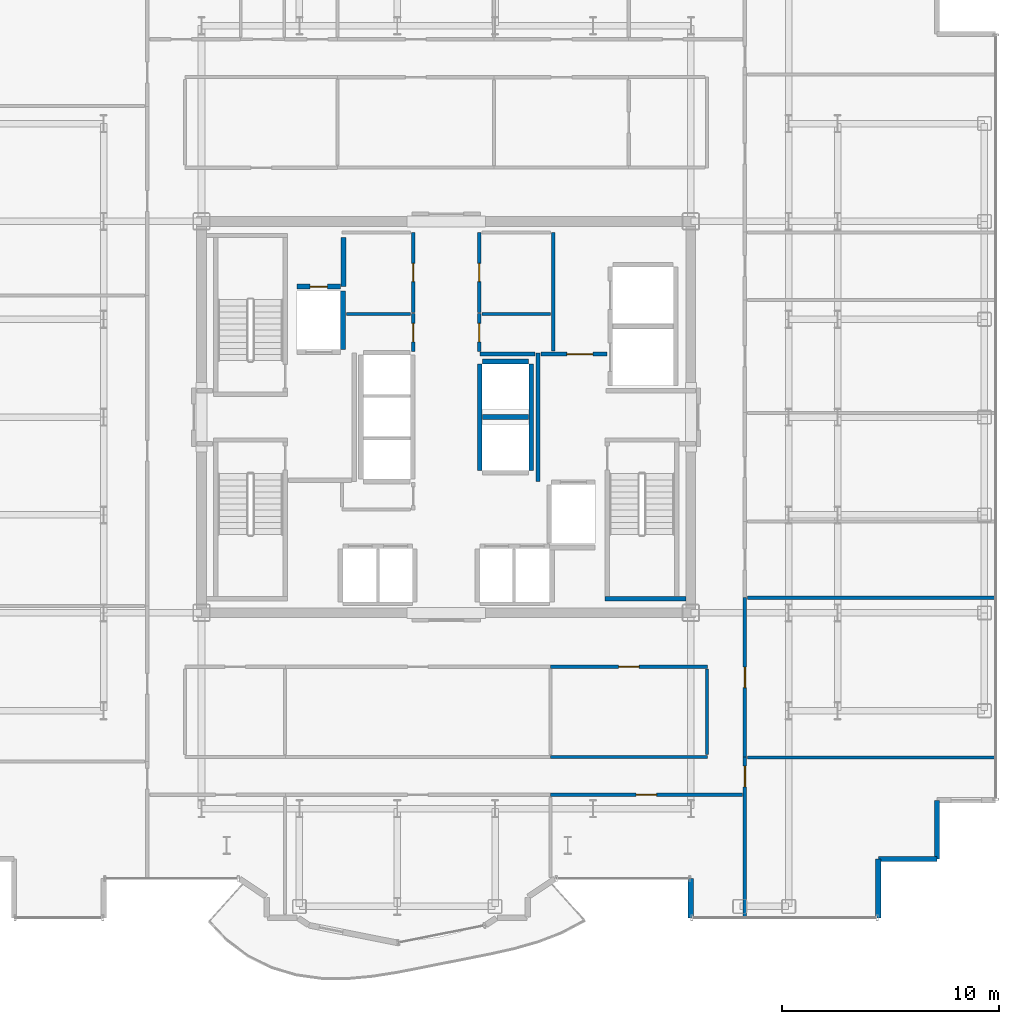
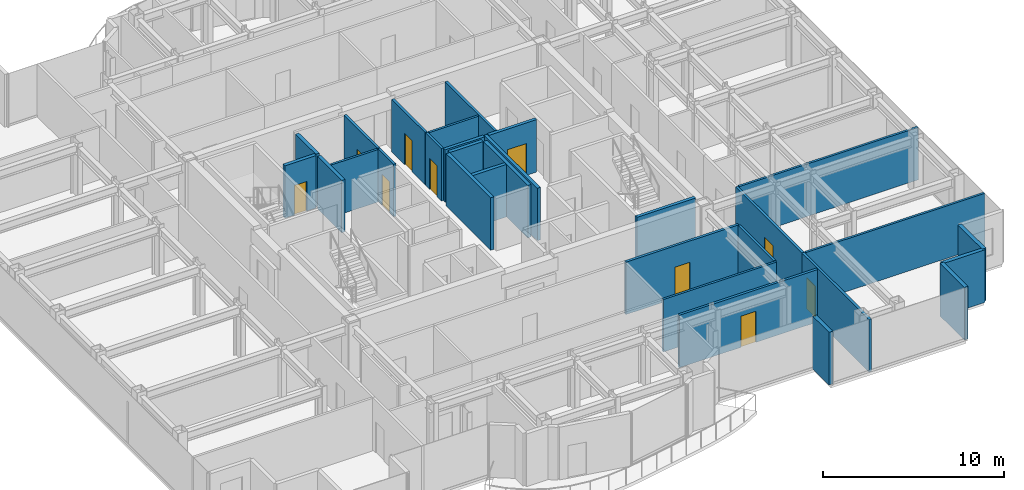
# One storey, part 16 of 21: 30 walls, 10 doors, 10 openings.
"""IFC4 building model written with IfcOpenShell, lengths in metres."""

import ifcopenshell
import ifcopenshell.guid

model = None  # the IFC model being written
_history = None  # IfcOwnerHistory: only IFC2X3 demands one
_inside = {}  # id of a spatial element -> (the spatial element, [elements in it])
_under = {}  # id of a project, library or spatial element -> (it, [spatial elements below it])
_declared = {}  # id of a project -> (the project, [libraries it declares])
_typed = {}  # id of a type object -> (the type object, [elements of that type])
_made_of = {}  # id of a material, layer set ... -> (it, [elements and type objects made of it])


def new_model(schema):
    """Start an empty IFC model of exactly this schema.

    Asked for "IFC4X3", IfcOpenShell would pick the latest addendum, in which some entities
    have other attributes; the version numbers below select the first issue.
    IFC2X3 requires an IfcOwnerHistory on every rooted entity: one is made here for all.
    """
    global model, _history
    if schema == "IFC4X3":
        model = ifcopenshell.file(schema_version=(4, 3, 0, 0))
    else:
        model = ifcopenshell.file(schema=schema)
    _inside.clear()
    _under.clear()
    _declared.clear()
    _typed.clear()
    _made_of.clear()
    _history = None
    if model.schema == "IFC2X3":
        org = make("IfcOrganization", Name="unknown")
        user = make(
            "IfcPersonAndOrganization",
            ThePerson=make("IfcPerson", FamilyName="unknown"),
            TheOrganization=org,
        )
        app = make(
            "IfcApplication",
            ApplicationDeveloper=org,
            Version="unknown",
            ApplicationFullName="unknown",
            ApplicationIdentifier="unknown",
        )
        _history = make(
            "IfcOwnerHistory",
            OwningUser=user,
            OwningApplication=app,
            ChangeAction="ADDED",
            CreationDate=0,
        )
    return model


def make(cls, **values):
    """One entity of the class cls with the attributes given. An attribute that is None is left unset."""
    return model.create_entity(
        cls, **{name: value for name, value in values.items() if value is not None}
    )


def rooted(cls, **values):
    """An entity with a GlobalId (a new one), such as an element, a storey or a relation."""
    return make(cls, GlobalId=ifcopenshell.guid.new(), OwnerHistory=_history, **values)


def si_unit(unit_type, name, prefix=None):
    """IfcSIUnit, for example si_unit("LENGTHUNIT", "METRE", prefix="MILLI")."""
    return make("IfcSIUnit", UnitType=unit_type, Prefix=prefix, Name=name)


def assignment(units):
    """IfcUnitAssignment: the units of a project."""
    return None if units is None else make("IfcUnitAssignment", Units=units)


def point(xyz):
    """IfcCartesianPoint."""
    return None if xyz is None else make("IfcCartesianPoint", Coordinates=xyz)


def direction(xyz):
    """IfcDirection."""
    return None if xyz is None else make("IfcDirection", DirectionRatios=xyz)


def frame(location, z_axis=None, x_axis=None):
    """IfcAxis2Placement3D, a coordinate frame: its origin and axes. An axis left out is left unset."""
    return make(
        "IfcAxis2Placement3D",
        Location=point(location),
        Axis=direction(z_axis),
        RefDirection=direction(x_axis),
    )


def frame_2d(location, x_axis=None):
    """IfcAxis2Placement2D, a coordinate frame in the plane: its origin and x axis."""
    return make(
        "IfcAxis2Placement2D", Location=point(location), RefDirection=direction(x_axis)
    )


def origin():
    """The frame at (0, 0, 0) with its axes left unset."""
    return frame((0.0, 0.0, 0.0))


def place(relative_to, where):
    """IfcLocalPlacement: puts the frame where relative to a parent placement (None: the world)."""
    return make(
        "IfcLocalPlacement", PlacementRelTo=relative_to, RelativePlacement=where
    )


def context(
    kind, dimensions, precision=None, world=None, true_north=None, identifier=None
):
    """IfcGeometricRepresentationContext, for example the 3D "Model" context."""
    return make(
        "IfcGeometricRepresentationContext",
        ContextIdentifier=identifier,
        ContextType=kind,
        CoordinateSpaceDimension=dimensions,
        Precision=precision,
        WorldCoordinateSystem=world,
        TrueNorth=true_north,
    )


def subcontext(parent, identifier, kind, view, scale=None):
    """IfcGeometricRepresentationSubContext, for example "Body" below "Model"."""
    return make(
        "IfcGeometricRepresentationSubContext",
        ContextIdentifier=identifier,
        ContextType=kind,
        ParentContext=parent,
        TargetScale=scale,
        TargetView=view,
    )


def project(units=None, contexts=None):
    """IfcProject with its units and contexts."""
    return rooted(
        "IfcProject",
        Name="project",
        RepresentationContexts=contexts,
        UnitsInContext=assignment(units),
    )


def spatial(cls, under=None, at=None, **own):
    """A site, building, storey or space (cls), placed at a placement, below another one or the project."""
    s = rooted(cls, ObjectPlacement=at, **own)
    if under is not None:
        _under.setdefault(under.id(), (under, []))[1].append(s)
    return s


def profile(cls, at=None, kind="AREA", **sizes):
    """A parametric profile (cls). Its sizes go by their IFC names, for example OverallWidth=200.0."""
    return make(cls, ProfileType=kind, Position=at, **sizes)


def rectangle(**sizes):
    """IfcRectangleProfileDef."""
    return profile("IfcRectangleProfileDef", **sizes)


def extrude(swept, where, along, depth):
    """IfcExtrudedAreaSolid: the profile swept, set in the frame where, extruded along a direction by depth."""
    return make(
        "IfcExtrudedAreaSolid",
        SweptArea=swept,
        Position=where,
        ExtrudedDirection=direction(along),
        Depth=depth,
    )


def shape(context_of_items, identifier, shape_type, items):
    """IfcShapeRepresentation: the items that make up one representation, for example the "Body"."""
    return make(
        "IfcShapeRepresentation",
        ContextOfItems=context_of_items,
        RepresentationIdentifier=identifier,
        RepresentationType=shape_type,
        Items=items,
    )


def source(mapping_origin, context_of_items, identifier, shape_type, items):
    """IfcRepresentationMap: a shape defined once, which mapped items show again and again."""
    return make(
        "IfcRepresentationMap",
        MappingOrigin=mapping_origin,
        MappedRepresentation=shape(context_of_items, identifier, shape_type, items),
    )


def transform(
    local_origin,
    x_axis=None,
    y_axis=None,
    z_axis=None,
    scale=None,
    scale2=None,
    scale3=None,
    uniform=True,
):
    """IfcCartesianTransformationOperator3D, or its non-uniform kind. x_axis, y_axis, z_axis: its Axis1, 2, 3."""
    if uniform:
        return make(
            "IfcCartesianTransformationOperator3D",
            Axis1=direction(x_axis),
            Axis2=direction(y_axis),
            LocalOrigin=point(local_origin),
            Scale=scale,
            Axis3=direction(z_axis),
        )
    return make(
        "IfcCartesianTransformationOperator3DnonUniform",
        Axis1=direction(x_axis),
        Axis2=direction(y_axis),
        LocalOrigin=point(local_origin),
        Scale=scale,
        Axis3=direction(z_axis),
        Scale2=scale2,
        Scale3=scale3,
    )


def mapped(mapping_source, mapping_target):
    """IfcMappedItem: shows the shape of a source again, moved by a transform."""
    return make(
        "IfcMappedItem", MappingSource=mapping_source, MappingTarget=mapping_target
    )


def material(Name=None, Category=None):
    """IfcMaterial."""
    return make("IfcMaterial", Name=Name, Category=Category)


def layer(
    of_material, thickness, ventilated=None, Name=None, Category=None, Priority=None
):
    """IfcMaterialLayer: one layer of a wall or slab, of a material (None: an air gap)."""
    return make(
        "IfcMaterialLayer",
        Material=of_material,
        LayerThickness=thickness,
        IsVentilated=ventilated,
        Name=Name,
        Category=Category,
        Priority=Priority,
    )


def layer_set(layers, Name=None):
    """IfcMaterialLayerSet."""
    return make("IfcMaterialLayerSet", MaterialLayers=layers, LayerSetName=Name)


def made_of(thing, what):
    """Note that an element or type object is made of a material, layer set ...; save() writes the relation."""
    if what is not None:
        _made_of.setdefault(what.id(), (what, []))[1].append(thing)
    return thing


def type_object(cls, material=None, **own):
    """A type object (cls), such as IfcWallType, which elements share."""
    return made_of(rooted(cls, **own), material)


def element(
    cls,
    number,
    at=None,
    inside=None,
    cuts=None,
    type_object=None,
    material=None,
    context=None,
    identifier="Body",
    shape_type=None,
    held_by="IfcProductDefinitionShape",
    body=None,
    shapes=None,
    **own,
):
    """One element of the class cls, such as IfcWall. Its Tag is "e" and its number.

    at: its placement. inside: the storey or other place that contains it. cuts: it is an
    opening in that element (IfcRelVoidsElement). A single representation is given by context,
    identifier, shape_type and body (its items); several are given by shapes. held_by: the class
    of the entity that holds the representations. save() writes the other relations.
    """
    e = rooted(cls, Tag="e%d" % number, ObjectPlacement=at, **own)
    if body is not None:
        shapes = [shape(context, identifier, shape_type, body)]
    if shapes is not None:
        e.Representation = make(held_by, Representations=shapes)
    if inside is not None:
        _inside.setdefault(inside.id(), (inside, []))[1].append(e)
    if cuts is not None:
        rooted(
            "IfcRelVoidsElement", RelatingBuildingElement=cuts, RelatedOpeningElement=e
        )
    if type_object is not None:
        _typed.setdefault(type_object.id(), (type_object, []))[1].append(e)
    return made_of(e, material)


def fill(opening, filler):
    """IfcRelFillsElement: the door or window that sits in an opening."""
    return rooted(
        "IfcRelFillsElement",
        RelatingOpeningElement=opening,
        RelatedBuildingElement=filler,
    )


def aggregate(whole, parts):
    """IfcRelAggregates: a whole, such as a stair, and the parts it consists of."""
    return rooted("IfcRelAggregates", RelatingObject=whole, RelatedObjects=parts)


def save(model, path):
    """Write the relations noted so far, then the file.

    IfcRelAggregates (storeys below a building ...), IfcRelContainedInSpatialStructure (elements
    in a storey), IfcRelDefinesByType, IfcRelAssociatesMaterial and IfcRelDeclares: one each for
    every whole, place, type object, material and project.
    """
    for whole, parts in _under.values():
        aggregate(whole, parts)
    for where, things in _inside.values():
        rooted(
            "IfcRelContainedInSpatialStructure",
            RelatedElements=things,
            RelatingStructure=where,
        )
    for kind, things in _typed.values():
        rooted("IfcRelDefinesByType", RelatedObjects=things, RelatingType=kind)
    for what, things in _made_of.values():
        rooted("IfcRelAssociatesMaterial", RelatedObjects=things, RelatingMaterial=what)
    for by, libraries in _declared.values():
        rooted("IfcRelDeclares", RelatingContext=by, RelatedDefinitions=libraries)
    model.write(path)


model = new_model("IFC4")

# Units and contexts
model_context = context("Model", 3, precision=1e-05, world=origin(), true_north=direction((0.0, 1.0)))
body_context = subcontext(model_context, "Body", "Model", "MODEL_VIEW")
ifc_project = project(units=[si_unit("LENGTHUNIT", "METRE"), si_unit("AREAUNIT", "SQUARE_METRE"), si_unit("VOLUMEUNIT", "CUBIC_METRE"), si_unit("PLANEANGLEUNIT", "RADIAN"), si_unit("MASSUNIT", "GRAM", prefix="KILO")], contexts=[model_context])

# Site, building, storey
site_placement = place(None, origin())
site = spatial("IfcSite", under=ifc_project, at=site_placement, CompositionType="ELEMENT")
building_placement = place(site_placement, origin())
building = spatial("IfcBuilding", under=site, at=building_placement, Name="Nefas-Gora Pilgrimage Tower", CompositionType="ELEMENT")
storey_placement = place(building_placement, frame((0.0, 0.0, 248.39990234375)))
storey = spatial("IfcBuildingStorey", under=building, at=storey_placement, Name="L62", CompositionType="ELEMENT", Elevation=248.39990234375)

# Walls
ifc_material_1 = material(Name="Precast concrete C40/50", Category="concrete")
ifc_layer_1 = layer(ifc_material_1, 0.260009765625)
ifc_layer_set_1 = layer_set([ifc_layer_1], Name="Precast concrete C40/50")
wall_type_1 = type_object("IfcWallType", Name="EW-PORTAL-260", PredefinedType="SOLIDWALL", material=ifc_layer_set_1)
shared_shape_1 = source(origin(), body_context, "Body", "SweptSolid", [
    extrude(rectangle(XDim=1.800048828125, YDim=0.260009765625, at=frame_2d((0.89990234375, 0.0))), origin(), (0.0, 0.0, 1.0), 3.550048828125),
])
wall_1_placement = place(storey_placement, frame((11.25, -21.219970703125, 0.0), z_axis=(0.0, 0.0, 1.0), x_axis=(0.0, -1.0, 0.0)))
element("IfcWall", 1, at=wall_1_placement, inside=storey, type_object=wall_type_1, Name="L62 Lobe Shoulder Precast Spandrel Pier 1", PredefinedType="SOLIDWALL", context=body_context, shape_type="MappedRepresentation", body=[
    mapped(shared_shape_1, transform((0.0, 0.0, 0.0), x_axis=(1.0, 0.0, 0.0), y_axis=(0.0, 1.0, 0.0), z_axis=(0.0, 0.0, 1.0), scale=1.0)),
])
ifc_material_2 = material(Name="Precast concrete C45/55", Category="concrete")
ifc_layer_2 = layer(ifc_material_2, 0.239990234375)
ifc_layer_set_2 = layer_set([ifc_layer_2], Name="Precast concrete C45/55")
wall_type_2 = type_object("IfcWallType", Name="EW-SERR-240", PredefinedType="SHEAR", material=ifc_layer_set_2)
shared_shape_2 = source(origin(), body_context, "Body", "SweptSolid", [
    extrude(rectangle(XDim=2.699951171875, YDim=0.239990234375, at=frame_2d((1.35009765625, 0.0))), origin(), (0.0, 0.0, 1.0), 3.550048828125),
])
for number, where, z_axis, x_axis, name in (
    (2, (19.8701171875, -23.02001953125, 0.0), (0.0, 0.0, 1.0), (0.0, 1.0, 0.0), "L62 Serrated Corner Shear Pier Wall 2"),
    (3, (19.8701171875, -20.320068359375, 0.0), (0.0, 0.0, 1.0), (1.0, 0.0, 0.0), "L62 Serrated Corner Shear Pier Wall 3"),
    (4, (22.570068359375, -20.320068359375, 0.0), (0.0, 0.0, 1.0), (0.0, 1.0, 0.0), "L62 Serrated Corner Shear Pier Wall 4"),
):
    element("IfcWall", number, at=place(storey_placement, frame(where, z_axis=z_axis, x_axis=x_axis)), inside=storey, type_object=wall_type_2, Name=name, PredefinedType="SHEAR", context=body_context, shape_type="MappedRepresentation", body=[
        mapped(shared_shape_2, transform((0.0, 0.0, 0.0), x_axis=(1.0, 0.0, 0.0), y_axis=(0.0, 1.0, 0.0), z_axis=(0.0, 0.0, 1.0), scale=1.0)),
    ])
ifc_material_3 = material(Name="Concrete C45/55", Category="concrete")
ifc_layer_3 = layer(ifc_material_3, 0.199951171875)
ifc_layer_set_3 = layer_set([ifc_layer_3], Name="Concrete C45/55")
wall_type_3 = type_object("IfcWallType", Name="IW-STAIR-200", PredefinedType="SOLIDWALL", material=ifc_layer_set_3)
shared_shape_3 = source(origin(), body_context, "Body", "SweptSolid", [
    extrude(rectangle(XDim=3.72998046875, YDim=0.199951171875, at=frame_2d((1.864990234375, 0.0))), origin(), (0.0, 0.0, 1.0), 3.800048828125),
])
wall_2_placement = place(storey_placement, frame((7.300048828125, -8.35009765625, 0.0), z_axis=(0.0, 0.0, 1.0), x_axis=(1.0, 0.0, 0.0)))
element("IfcWall", 5, at=wall_2_placement, inside=storey, type_object=wall_type_3, Name="L62 Stairwell Shear Wall ST-02-far", PredefinedType="SOLIDWALL", context=body_context, shape_type="MappedRepresentation", body=[
    mapped(shared_shape_3, transform((0.0, 0.0, 0.0), x_axis=(1.0, 0.0, 0.0), y_axis=(0.0, 1.0, 0.0), z_axis=(0.0, 0.0, 1.0), scale=1.0)),
])
ifc_material_4 = material(Name="Concrete C40/50", Category="concrete")
ifc_layer_4 = layer(ifc_material_4, 0.219970703125)
ifc_layer_set_4 = layer_set([ifc_layer_4], Name="Concrete C40/50")
wall_type_4 = type_object("IfcWallType", Name="IW-SHAFT-220", PredefinedType="SOLIDWALL", material=ifc_layer_set_4)
shared_shape_4 = source(origin(), body_context, "Body", "SweptSolid", [
    extrude(rectangle(XDim=2.679931640625, YDim=0.219970703125, at=frame_2d((1.33984375, 0.0))), origin(), (0.0, 0.0, 1.0), 3.53515625),
])
wall_3_placement = place(storey_placement, frame((-4.739990234375, 3.110107421875, 0.0), z_axis=(0.0, 0.0, 1.0), x_axis=(0.0, 1.0, 0.0)))
element("IfcWall", 6, at=wall_3_placement, inside=storey, type_object=wall_type_4, Name="L62 Hoistway Wall FFL-01-E", PredefinedType="SOLIDWALL", context=body_context, shape_type="MappedRepresentation", body=[
    mapped(shared_shape_4, transform((0.0, 0.0, 0.0), x_axis=(1.0, 0.0, 0.0), y_axis=(0.0, 1.0, 0.0), z_axis=(0.0, 0.0, 1.0), scale=1.0)),
])
shared_shape_5 = source(origin(), body_context, "Body", "SweptSolid", [
    extrude(rectangle(XDim=2.130126953125, YDim=0.219970703125, at=frame_2d((1.06494140625, 0.0))), origin(), (0.0, 0.0, 1.0), 3.53515625),
])
for number, where, z_axis, x_axis, name in (
    (7, (1.659912109375, 0.0, 0.0), (0.0, 0.0, 1.0), (1.0, 0.0, 0.0), "L62 Hoistway Wall OBS-01-02-DIV"),
    (8, (3.7900390625, 2.56005859375, 0.0), (0.0, 0.0, 1.0), (-1.0, 0.0, 0.0), "L62 Hoistway Wall OBS-02-N"),
):
    element("IfcWall", number, at=place(storey_placement, frame(where, z_axis=z_axis, x_axis=x_axis)), inside=storey, type_object=wall_type_4, Name=name, PredefinedType="SOLIDWALL", context=body_context, shape_type="MappedRepresentation", body=[
        mapped(shared_shape_5, transform((0.0, 0.0, 0.0), x_axis=(1.0, 0.0, 0.0), y_axis=(0.0, 1.0, 0.0), z_axis=(0.0, 0.0, 1.0), scale=1.0)),
    ])
shared_shape_6 = source(origin(), body_context, "Body", "SweptSolid", [
    extrude(rectangle(XDim=4.89990234375, YDim=0.219970703125, at=frame_2d((2.449951171875, 0.0))), origin(), (0.0, 0.0, 1.0), 3.53515625),
])
for number, where, z_axis, x_axis, name in (
    (9, (1.5400390625, 2.449951171875, 0.0), (0.0, 0.0, 1.0), (0.0, -1.0, 0.0), "L62 Hoistway Wall OBS-01-02-W"),
    (10, (3.909912109375, -2.449951171875, 0.0), (0.0, 0.0, 1.0), (0.0, 1.0, 0.0), "L62 Hoistway Wall OBS-01-02-E"),
):
    element("IfcWall", number, at=place(storey_placement, frame(where, z_axis=z_axis, x_axis=x_axis)), inside=storey, type_object=wall_type_4, Name=name, PredefinedType="SOLIDWALL", context=body_context, shape_type="MappedRepresentation", body=[
        mapped(shared_shape_6, transform((0.0, 0.0, 0.0), x_axis=(1.0, 0.0, 0.0), y_axis=(0.0, 1.0, 0.0), z_axis=(0.0, 0.0, 1.0), scale=1.0)),
    ])
ifc_material_5 = material(Name="Gypsum fire-rated shaftwall")
ifc_layer_5 = layer(ifc_material_5, 0.199951171875)
ifc_layer_set_5 = layer_set([ifc_layer_5], Name="Gypsum fire-rated shaftwall")
wall_type_5 = type_object("IfcWallType", Name="IW-FFLOB-200", PredefinedType="PARTITIONING", material=ifc_layer_set_5)
shared_shape_7 = source(origin(), body_context, "Body", "SweptSolid", [
    extrude(rectangle(XDim=5.89990234375, YDim=0.199951171875, at=frame_2d((2.949951171875, 0.0))), origin(), (0.0, 0.0, 1.0), 3.53515625),
])
wall_4_placement = place(storey_placement, frame((4.219970703125, -2.949951171875, 0.0), z_axis=(0.0, 0.0, 1.0), x_axis=(0.0, 1.0, 0.0)))
element("IfcWall", 11, at=wall_4_placement, inside=storey, type_object=wall_type_5, Name="L62 FF Lobby East Inner Wall Wall 10", PredefinedType="PARTITIONING", context=body_context, shape_type="MappedRepresentation", body=[
    mapped(shared_shape_7, transform((0.0, 0.0, 0.0), x_axis=(1.0, 0.0, 0.0), y_axis=(0.0, 1.0, 0.0), z_axis=(0.0, 0.0, 1.0), scale=1.0)),
])

# Wall, opening, door
shared_shape_8 = source(origin(), body_context, "Body", "SweptSolid", [
    extrude(rectangle(XDim=3.039794921875, YDim=0.199951171875, at=frame_2d((1.52001953125, 0.0))), origin(), (0.0, 0.0, 1.0), 3.53515625),
])
wall_5_placement = place(storey_placement, frame((4.360107421875, 2.89990234375, 0.0), z_axis=(0.0, 0.0, 1.0), x_axis=(1.0, 0.0, 0.0)))
wall_5 = element("IfcWall", 12, at=wall_5_placement, inside=storey, type_object=wall_type_5, Name="L62 FF Lobby East North Wall Wall 12", PredefinedType="PARTITIONING", context=body_context, shape_type="MappedRepresentation", body=[
    mapped(shared_shape_8, transform((0.0, 0.0, 0.0), x_axis=(1.0, 0.0, 0.0), y_axis=(0.0, 1.0, 0.0), z_axis=(0.0, 0.0, 1.0), scale=1.0)),
])
opening_1_placement = place(wall_5_placement, frame((1.18994140625, 0.0, 0.0)))
opening_1 = element("IfcOpeningElement", 13, at=opening_1_placement, cuts=wall_5, Name="Opening ID-PL1", PredefinedType="OPENING", context=body_context, shape_type="SweptSolid", body=[
    extrude(rectangle(XDim=1.199951171875, YDim=2.14990234375, at=frame_2d((0.60009765625, 1.074951171875))), frame((0.0, 0.10986328125, 0.0), z_axis=(0.0, -1.0, 0.0), x_axis=(1.0, 0.0, 0.0)), (0.0, 0.0, 1.0), 0.219970703125),
])
ifc_material_6 = material(Name="Heavy-duty steel plant room fire door", Category="steel")
door_type_1 = type_object("IfcDoorType", Name="DR-INT-PLANT-1200", OperationType="NOTDEFINED", PredefinedType="DOOR", material=ifc_material_6)
shared_shape_9 = source(origin(), body_context, "Body", "SweptSolid", [
    extrude(rectangle(XDim=1.199951171875, YDim=2.14990234375, at=frame_2d((0.60009765625, 1.074951171875))), frame((0.0, 0.02490234375, 0.0), z_axis=(0.0, -1.0, 0.0), x_axis=(1.0, 0.0, 0.0)), (0.0, 0.0, 1.0), 0.050048828125),
])
door_1_placement = place(opening_1_placement, origin())
door_1 = element("IfcDoor", 14, at=door_1_placement, inside=storey, type_object=door_type_1, Name="L62 Service Lift Lobby Door Door 4", OperationType="SINGLE_SWING_RIGHT", OverallHeight=2.14990234375, OverallWidth=1.199951171875, PredefinedType="DOOR", context=body_context, shape_type="MappedRepresentation", body=[
    mapped(shared_shape_9, transform((0.0, 0.0, 0.0), x_axis=(1.0, 0.0, 0.0), y_axis=(0.0, 1.0, 0.0), z_axis=(0.0, 0.0, 1.0), scale=1.0)),
])
fill(opening_1, door_1)

# Walls
ifc_material_7 = material(Name="Gypsum twin-stud partition")
ifc_layer_6 = layer(ifc_material_7, 0.139892578125)
ifc_layer_set_6 = layer_set([ifc_layer_6], Name="Gypsum twin-stud partition")
wall_type_6 = type_object("IfcWallType", Name="IW-UNIT-140", PredefinedType="PARTITIONING", material=ifc_layer_set_6)
shared_shape_10 = source(origin(), body_context, "Body", "SweptSolid", [
    extrude(rectangle(XDim=3.150146484375, YDim=0.139892578125, at=frame_2d((1.5751953125, 0.0))), origin(), (0.0, 0.0, 1.0), 3.53515625),
])
wall_6_placement = place(storey_placement, frame((1.639892578125, 4.75, 0.0), z_axis=(0.0, 0.0, 1.0), x_axis=(1.0, 0.0, 0.0)))
element("IfcWall", 15, at=wall_6_placement, inside=storey, type_object=wall_type_6, Name="L62 Clean Blanket and Robe Store Partition Wall 23", PredefinedType="PARTITIONING", context=body_context, shape_type="MappedRepresentation", body=[
    mapped(shared_shape_10, transform((0.0, 0.0, 0.0), x_axis=(1.0, 0.0, 0.0), y_axis=(0.0, 1.0, 0.0), z_axis=(0.0, 0.0, 1.0), scale=1.0)),
])
shared_shape_11 = source(origin(), body_context, "Body", "SweptSolid", [
    extrude(rectangle(XDim=2.9501953125, YDim=0.139892578125, at=frame_2d((1.47509765625, 0.0))), origin(), (0.0, 0.0, 1.0), 3.53515625),
])
wall_7_placement = place(storey_placement, frame((-4.590087890625, 4.75, 0.0), z_axis=(0.0, 0.0, 1.0), x_axis=(1.0, 0.0, 0.0)))
element("IfcWall", 16, at=wall_7_placement, inside=storey, type_object=wall_type_6, Name="L62 Housekeeping and Linen Store Partition Wall 19", PredefinedType="PARTITIONING", context=body_context, shape_type="MappedRepresentation", body=[
    mapped(shared_shape_11, transform((0.0, 0.0, 0.0), x_axis=(1.0, 0.0, 0.0), y_axis=(0.0, 1.0, 0.0), z_axis=(0.0, 0.0, 1.0), scale=1.0)),
])
shared_shape_12 = source(origin(), body_context, "Body", "SweptSolid", [
    extrude(rectangle(XDim=2.25, YDim=0.219970703125, at=frame_2d((1.125, 0.0))), origin(), (0.0, 0.0, 1.0), 3.53515625),
])
wall_8_placement = place(storey_placement, frame((-4.719970703125, 6.0, 0.0), z_axis=(0.0, 0.0, 1.0), x_axis=(0.0, 1.0, 0.0)))
element("IfcWall", 17, at=wall_8_placement, inside=storey, type_object=wall_type_4, Name="L62 Riser Shaft Wall 1", PredefinedType="SOLIDWALL", context=body_context, shape_type="MappedRepresentation", body=[
    mapped(shared_shape_12, transform((0.0, 0.0, 0.0), x_axis=(1.0, 0.0, 0.0), y_axis=(0.0, 1.0, 0.0), z_axis=(0.0, 0.0, 1.0), scale=1.0)),
])

# Wall, opening, door
shared_shape_13 = source(origin(), body_context, "Body", "SweptSolid", [
    extrude(rectangle(XDim=1.97998046875, YDim=0.219970703125, at=frame_2d((0.989990234375, 0.0))), origin(), (0.0, 0.0, 1.0), 3.53515625),
])
wall_9_placement = place(storey_placement, frame((-6.85009765625, 6.0, 0.0), z_axis=(0.0, 0.0, 1.0), x_axis=(1.0, 0.0, 0.0)))
wall_9 = element("IfcWall", 18, at=wall_9_placement, inside=storey, type_object=wall_type_4, Name="L62 Riser Shaft Wall 2", PredefinedType="SOLIDWALL", context=body_context, shape_type="MappedRepresentation", body=[
    mapped(shared_shape_13, transform((0.0, 0.0, 0.0), x_axis=(1.0, 0.0, 0.0), y_axis=(0.0, 1.0, 0.0), z_axis=(0.0, 0.0, 1.0), scale=1.0)),
])
opening_2_placement = place(wall_9_placement, frame((0.590087890625, 0.0, 0.0)))
opening_2 = element("IfcOpeningElement", 19, at=opening_2_placement, cuts=wall_9, Name="Opening ID-TR1", PredefinedType="OPENING", context=body_context, shape_type="SweptSolid", body=[
    extrude(rectangle(XDim=0.800048828125, YDim=2.0, at=frame_2d((0.39990234375, 1.0))), frame((0.0, 0.119873046875, 0.0), z_axis=(0.0, -1.0, 0.0), x_axis=(1.0, 0.0, 0.0)), (0.0, 0.0, 1.0), 0.239990234375),
])
ifc_material_8 = material(Name="Riser maintenance fire access door")
door_type_2 = type_object("IfcDoorType", Name="DR-INT-TRAP-800", OperationType="NOTDEFINED", PredefinedType="TRAPDOOR", material=ifc_material_8)
shared_shape_14 = source(origin(), body_context, "Body", "SweptSolid", [
    extrude(rectangle(XDim=0.800048828125, YDim=2.0, at=frame_2d((0.39990234375, 1.0))), frame((0.0, 0.02490234375, 0.0), z_axis=(0.0, -1.0, 0.0), x_axis=(1.0, 0.0, 0.0)), (0.0, 0.0, 1.0), 0.050048828125),
])
door_2_placement = place(opening_2_placement, origin())
door_2 = element("IfcDoor", 20, at=door_2_placement, inside=storey, type_object=door_type_2, Name="L62 Riser Shaft Door 1", OperationType="SINGLE_SWING_LEFT", OverallHeight=2.0, OverallWidth=0.800048828125, PredefinedType="TRAPDOOR", context=body_context, shape_type="MappedRepresentation", body=[
    mapped(shared_shape_14, transform((0.0, 0.0, 0.0), x_axis=(1.0, 0.0, 0.0), y_axis=(0.0, 1.0, 0.0), z_axis=(0.0, 0.0, 1.0), scale=1.0)),
])
fill(opening_2, door_2)

# Walls
shared_shape_15 = source(origin(), body_context, "Body", "SweptSolid", [
    extrude(rectangle(XDim=2.52001953125, YDim=0.199951171875, at=frame_2d((1.260009765625, 0.0))), origin(), (0.0, 0.0, 1.0), 3.53515625),
])
wall_10_placement = place(storey_placement, frame((1.56005859375, 2.89990234375, 0.0), z_axis=(0.0, 0.0, 1.0), x_axis=(1.0, 0.0, 0.0)))
element("IfcWall", 21, at=wall_10_placement, inside=storey, type_object=wall_type_5, Name="L62 FF Lobby East North Wall Wall 11", PredefinedType="PARTITIONING", context=body_context, shape_type="MappedRepresentation", body=[
    mapped(shared_shape_15, transform((0.0, 0.0, 0.0), x_axis=(1.0, 0.0, 0.0), y_axis=(0.0, 1.0, 0.0), z_axis=(0.0, 0.0, 1.0), scale=1.0)),
])
ifc_material_9 = material(Name="Gypsum acoustic stud partition")
ifc_layer_7 = layer(ifc_material_9, 0.159912109375)
ifc_layer_set_7 = layer_set([ifc_layer_7], Name="Gypsum acoustic stud partition")
wall_type_7 = type_object("IfcWallType", Name="IW-CORR-160", PredefinedType="PARTITIONING", material=ifc_layer_set_7)
shared_shape_16 = source(origin(), body_context, "Body", "SweptSolid", [
    extrude(rectangle(XDim=5.449951171875, YDim=0.159912109375, at=frame_2d((2.72509765625, 0.0))), origin(), (0.0, 0.0, 1.0), 3.53515625),
])
wall_11_placement = place(storey_placement, frame((4.919921875, 3.0400390625, 0.0), z_axis=(0.0, 0.0, 1.0), x_axis=(0.0, 1.0, 0.0)))
element("IfcWall", 22, at=wall_11_placement, inside=storey, type_object=wall_type_7, Name="L62 Service Lift Lobby West Wall Wall 17", PredefinedType="PARTITIONING", context=body_context, shape_type="MappedRepresentation", body=[
    mapped(shared_shape_16, transform((0.0, 0.0, 0.0), x_axis=(1.0, 0.0, 0.0), y_axis=(0.0, 1.0, 0.0), z_axis=(0.0, 0.0, 1.0), scale=1.0)),
])

# Wall, opening, door
shared_shape_17 = source(origin(), body_context, "Body", "SweptSolid", [
    extrude(rectangle(XDim=1.75, YDim=0.159912109375, at=frame_2d((0.875, 0.0))), origin(), (0.0, 0.0, 1.0), 3.53515625),
])
wall_12_placement = place(storey_placement, frame((-1.52001953125, 3.010009765625, 0.0), z_axis=(0.0, 0.0, 1.0), x_axis=(0.0, 1.0, 0.0)))
wall_12 = element("IfcWall", 23, at=wall_12_placement, inside=storey, type_object=wall_type_7, Name="L62 Housekeeping and Linen Store Wall 18", PredefinedType="PARTITIONING", context=body_context, shape_type="MappedRepresentation", body=[
    mapped(shared_shape_17, transform((0.0, 0.0, 0.0), x_axis=(1.0, 0.0, 0.0), y_axis=(0.0, 1.0, 0.0), z_axis=(0.0, 0.0, 1.0), scale=1.0)),
])
opening_3_placement = place(wall_12_placement, frame((0.449951171875, 0.0, 0.0)))
opening_3 = element("IfcOpeningElement", 24, at=opening_3_placement, cuts=wall_12, Name="Opening ID-BT1", PredefinedType="OPENING", context=body_context, shape_type="SweptSolid", body=[
    extrude(rectangle(XDim=0.85009765625, YDim=2.10009765625, at=frame_2d((0.425048828125, 1.050048828125))), frame((0.0, 0.08984375, 0.0), z_axis=(0.0, -1.0, 0.0), x_axis=(1.0, 0.0, 0.0)), (0.0, 0.0, 1.0), 0.179931640625),
])
ifc_material_10 = material(Name="Moisture-resistant fire-rated timber door", Category="wood")
door_type_3 = type_object("IfcDoorType", Name="DR-INT-BATH-850", OperationType="NOTDEFINED", PredefinedType="DOOR", material=ifc_material_10)
shared_shape_18 = source(origin(), body_context, "Body", "SweptSolid", [
    extrude(rectangle(XDim=0.85009765625, YDim=2.10009765625, at=frame_2d((0.425048828125, 1.050048828125))), frame((0.0, 0.02490234375, 0.0), z_axis=(0.0, -1.0, 0.0), x_axis=(1.0, 0.0, 0.0)), (0.0, 0.0, 1.0), 0.050048828125),
])
door_3_placement = place(opening_3_placement, origin())
door_3 = element("IfcDoor", 25, at=door_3_placement, inside=storey, type_object=door_type_3, Name="L62 Housekeeping and Linen Store Door 7", OperationType="SINGLE_SWING_LEFT", OverallHeight=2.10009765625, OverallWidth=0.85009765625, PredefinedType="DOOR", context=body_context, shape_type="MappedRepresentation", body=[
    mapped(shared_shape_18, transform((0.0, 0.0, 0.0), x_axis=(1.0, 0.0, 0.0), y_axis=(0.0, 1.0, 0.0), z_axis=(0.0, 0.0, 1.0), scale=1.0)),
])
fill(opening_3, door_3)

wall_13_placement = place(storey_placement, frame((1.52001953125, 3.010009765625, 0.0), z_axis=(0.0, 0.0, 1.0), x_axis=(0.0, 1.0, 0.0)))
wall_13 = element("IfcWall", 26, at=wall_13_placement, inside=storey, type_object=wall_type_7, Name="L62 Clean Blanket and Robe Store Wall 22", PredefinedType="PARTITIONING", context=body_context, shape_type="MappedRepresentation", body=[
    mapped(shared_shape_17, transform((0.0, 0.0, 0.0), x_axis=(1.0, 0.0, 0.0), y_axis=(0.0, 1.0, 0.0), z_axis=(0.0, 0.0, 1.0), scale=1.0)),
])
opening_4_placement = place(wall_13_placement, frame((0.449951171875, 0.0, 0.0)))
opening_4 = element("IfcOpeningElement", 27, at=opening_4_placement, cuts=wall_13, Name="Opening ID-BT1", PredefinedType="OPENING", context=body_context, shape_type="SweptSolid", body=[
    extrude(rectangle(XDim=0.85009765625, YDim=2.10009765625, at=frame_2d((0.425048828125, 1.050048828125))), frame((0.0, 0.08984375, 0.0), z_axis=(0.0, -1.0, 0.0), x_axis=(1.0, 0.0, 0.0)), (0.0, 0.0, 1.0), 0.179931640625),
])
door_4_placement = place(opening_4_placement, origin())
door_4 = element("IfcDoor", 28, at=door_4_placement, inside=storey, type_object=door_type_3, Name="L62 Clean Blanket and Robe Store Door 9", OperationType="SINGLE_SWING_LEFT", OverallHeight=2.10009765625, OverallWidth=0.85009765625, PredefinedType="DOOR", context=body_context, shape_type="MappedRepresentation", body=[
    mapped(shared_shape_18, transform((0.0, 0.0, 0.0), x_axis=(1.0, 0.0, 0.0), y_axis=(0.0, 1.0, 0.0), z_axis=(0.0, 0.0, 1.0), scale=1.0)),
])
fill(opening_4, door_4)

shared_shape_19 = source(origin(), body_context, "Body", "SweptSolid", [
    extrude(rectangle(XDim=3.679931640625, YDim=0.159912109375, at=frame_2d((1.83984375, 0.0))), origin(), (0.0, 0.0, 1.0), 3.53515625),
])
wall_14_placement = place(storey_placement, frame((-1.52001953125, 4.81005859375, 0.0), z_axis=(0.0, 0.0, 1.0), x_axis=(0.0, 1.0, 0.0)))
wall_14 = element("IfcWall", 29, at=wall_14_placement, inside=storey, type_object=wall_type_7, Name="L62 Archival Supply Store Wall 20", PredefinedType="PARTITIONING", context=body_context, shape_type="MappedRepresentation", body=[
    mapped(shared_shape_19, transform((0.0, 0.0, 0.0), x_axis=(1.0, 0.0, 0.0), y_axis=(0.0, 1.0, 0.0), z_axis=(0.0, 0.0, 1.0), scale=1.0)),
])
opening_5_placement = place(wall_14_placement, frame((1.4150390625, 0.0, 0.0)))
opening_5 = element("IfcOpeningElement", 30, at=opening_5_placement, cuts=wall_14, Name="Opening ID-BT1", PredefinedType="OPENING", context=body_context, shape_type="SweptSolid", body=[
    extrude(rectangle(XDim=0.85009765625, YDim=2.10009765625, at=frame_2d((0.425048828125, 1.050048828125))), frame((0.0, 0.08984375, 0.0), z_axis=(0.0, -1.0, 0.0), x_axis=(1.0, 0.0, 0.0)), (0.0, 0.0, 1.0), 0.179931640625),
])
door_5_placement = place(opening_5_placement, origin())
door_5 = element("IfcDoor", 31, at=door_5_placement, inside=storey, type_object=door_type_3, Name="L62 Archival Supply Store Door 8", OperationType="SINGLE_SWING_RIGHT", OverallHeight=2.10009765625, OverallWidth=0.85009765625, PredefinedType="DOOR", context=body_context, shape_type="MappedRepresentation", body=[
    mapped(shared_shape_18, transform((0.0, 0.0, 0.0), x_axis=(1.0, 0.0, 0.0), y_axis=(0.0, 1.0, 0.0), z_axis=(0.0, 0.0, 1.0), scale=1.0)),
])
fill(opening_5, door_5)

wall_15_placement = place(storey_placement, frame((1.52001953125, 4.81005859375, 0.0), z_axis=(0.0, 0.0, 1.0), x_axis=(0.0, 1.0, 0.0)))
wall_15 = element("IfcWall", 32, at=wall_15_placement, inside=storey, type_object=wall_type_7, Name="L62 Amenity Supply Store Wall 24", PredefinedType="PARTITIONING", context=body_context, shape_type="MappedRepresentation", body=[
    mapped(shared_shape_19, transform((0.0, 0.0, 0.0), x_axis=(1.0, 0.0, 0.0), y_axis=(0.0, 1.0, 0.0), z_axis=(0.0, 0.0, 1.0), scale=1.0)),
])
opening_6_placement = place(wall_15_placement, frame((1.4150390625, 0.0, 0.0)))
opening_6 = element("IfcOpeningElement", 33, at=opening_6_placement, cuts=wall_15, Name="Opening ID-BT1", PredefinedType="OPENING", context=body_context, shape_type="SweptSolid", body=[
    extrude(rectangle(XDim=0.85009765625, YDim=2.10009765625, at=frame_2d((0.425048828125, 1.050048828125))), frame((0.0, 0.08984375, 0.0), z_axis=(0.0, -1.0, 0.0), x_axis=(1.0, 0.0, 0.0)), (0.0, 0.0, 1.0), 0.179931640625),
])
door_6_placement = place(opening_6_placement, origin())
door_6 = element("IfcDoor", 34, at=door_6_placement, inside=storey, type_object=door_type_3, Name="L62 Amenity Supply Store Door 10", OperationType="SINGLE_SWING_RIGHT", OverallHeight=2.10009765625, OverallWidth=0.85009765625, PredefinedType="DOOR", context=body_context, shape_type="MappedRepresentation", body=[
    mapped(shared_shape_18, transform((0.0, 0.0, 0.0), x_axis=(1.0, 0.0, 0.0), y_axis=(0.0, 1.0, 0.0), z_axis=(0.0, 0.0, 1.0), scale=1.0)),
])
fill(opening_6, door_6)

# Walls
shared_shape_20 = source(origin(), body_context, "Body", "SweptSolid", [
    extrude(rectangle(XDim=11.429931640625, YDim=0.139892578125, at=frame_2d((5.71484375, 0.0))), origin(), (0.0, 0.0, 1.0), 3.53515625),
])
for number, where, z_axis, x_axis, name in (
    (35, (13.860107421875, -15.6474609375, 0.0), (0.0, 0.0, 1.0), (1.0, 0.0, 0.0), "L62 Pilgrim Tea and Beverage Pantry Partition Wall 42"),
    (36, (13.860107421875, -8.304931640625, 0.0), (0.0, 0.0, 1.0), (1.0, 0.0, 0.0), "L62 Pilgrim Tea and Beverage Pantry Partition Wall 44"),
):
    element("IfcWall", number, at=place(storey_placement, frame(where, z_axis=z_axis, x_axis=x_axis)), inside=storey, type_object=wall_type_6, Name=name, PredefinedType="PARTITIONING", context=body_context, shape_type="MappedRepresentation", body=[
        mapped(shared_shape_20, transform((0.0, 0.0, 0.0), x_axis=(1.0, 0.0, 0.0), y_axis=(0.0, 1.0, 0.0), z_axis=(0.0, 0.0, 1.0), scale=1.0)),
    ])
shared_shape_21 = source(origin(), body_context, "Body", "SweptSolid", [
    extrude(rectangle(XDim=3.929931640625, YDim=0.139892578125, at=frame_2d((1.96484375, 0.0))), origin(), (0.0, 0.0, 1.0), 3.53515625),
])
wall_16_placement = place(storey_placement, frame((12.0, -15.52001953125, 0.0), z_axis=(0.0, 0.0, 1.0), x_axis=(0.0, 1.0, 0.0)))
element("IfcWall", 37, at=wall_16_placement, inside=storey, type_object=wall_type_6, Name="L62 Pilgrim Contemplative Lounge Partition Wall 91", PredefinedType="PARTITIONING", context=body_context, shape_type="MappedRepresentation", body=[
    mapped(shared_shape_21, transform((0.0, 0.0, 0.0), x_axis=(1.0, 0.0, 0.0), y_axis=(0.0, 1.0, 0.0), z_axis=(0.0, 0.0, 1.0), scale=1.0)),
])

# Wall, opening, door
shared_shape_22 = source(origin(), body_context, "Body", "SweptSolid", [
    extrude(rectangle(XDim=7.215087890625, YDim=0.159912109375, at=frame_2d((3.607421875, 0.0))), origin(), (0.0, 0.0, 1.0), 3.53515625),
])
wall_17_placement = place(storey_placement, frame((4.794921875, -11.469970703125, 0.0), z_axis=(0.0, 0.0, 1.0), x_axis=(1.0, 0.0, 0.0)))
wall_17 = element("IfcWall", 38, at=wall_17_placement, inside=storey, type_object=wall_type_7, Name="L62 Pilgrim Contemplative Lounge Partition Wall 89", PredefinedType="PARTITIONING", context=body_context, shape_type="MappedRepresentation", body=[
    mapped(shared_shape_22, transform((0.0, 0.0, 0.0), x_axis=(1.0, 0.0, 0.0), y_axis=(0.0, 1.0, 0.0), z_axis=(0.0, 0.0, 1.0), scale=1.0)),
])
opening_7_placement = place(wall_17_placement, frame((3.132568359375, 0.0, 0.0)))
opening_7 = element("IfcOpeningElement", 39, at=opening_7_placement, cuts=wall_17, Name="Opening ID-GR1", PredefinedType="OPENING", context=body_context, shape_type="SweptSolid", body=[
    extrude(rectangle(XDim=0.949951171875, YDim=2.10009765625, at=frame_2d((0.47509765625, 1.050048828125))), frame((0.0, 0.08984375, 0.0), z_axis=(0.0, -1.0, 0.0), x_axis=(1.0, 0.0, 0.0)), (0.0, 0.0, 1.0), 0.179931640625),
])
ifc_material_11 = material(Name="Solid core oak fire-rated guest entrance door")
door_type_4 = type_object("IfcDoorType", Name="DR-INT-GUEST-950", OperationType="NOTDEFINED", PredefinedType="DOOR", material=ifc_material_11)
shared_shape_23 = source(origin(), body_context, "Body", "SweptSolid", [
    extrude(rectangle(XDim=0.949951171875, YDim=2.10009765625, at=frame_2d((0.47509765625, 1.050048828125))), frame((0.0, 0.02490234375, 0.0), z_axis=(0.0, -1.0, 0.0), x_axis=(1.0, 0.0, 0.0)), (0.0, 0.0, 1.0), 0.050048828125),
])
door_7_placement = place(opening_7_placement, origin())
door_7 = element("IfcDoor", 40, at=door_7_placement, inside=storey, type_object=door_type_4, Name="L62 Pilgrim Contemplative Lounge Door 40", OperationType="SINGLE_SWING_RIGHT", OverallHeight=2.10009765625, OverallWidth=0.949951171875, PredefinedType="DOOR", context=body_context, shape_type="MappedRepresentation", body=[
    mapped(shared_shape_23, transform((0.0, 0.0, 0.0), x_axis=(1.0, 0.0, 0.0), y_axis=(0.0, 1.0, 0.0), z_axis=(0.0, 0.0, 1.0), scale=1.0)),
])
fill(opening_7, door_7)

# Wall
shared_shape_24 = source(origin(), body_context, "Body", "SweptSolid", [
    extrude(rectangle(XDim=7.215087890625, YDim=0.139892578125, at=frame_2d((3.607421875, 0.0))), origin(), (0.0, 0.0, 1.0), 3.53515625),
])
wall_18_placement = place(storey_placement, frame((4.794921875, -15.6298828125, 0.0), z_axis=(0.0, 0.0, 1.0), x_axis=(1.0, 0.0, 0.0)))
element("IfcWall", 41, at=wall_18_placement, inside=storey, type_object=wall_type_6, Name="L62 Pilgrim Contemplative Lounge Partition Wall 90", PredefinedType="PARTITIONING", context=body_context, shape_type="MappedRepresentation", body=[
    mapped(shared_shape_24, transform((0.0, 0.0, 0.0), x_axis=(1.0, 0.0, 0.0), y_axis=(0.0, 1.0, 0.0), z_axis=(0.0, 0.0, 1.0), scale=1.0)),
])

# Wall, opening, door
shared_shape_25 = source(origin(), body_context, "Body", "SweptSolid", [
    extrude(rectangle(XDim=7.342529296875, YDim=0.159912109375, at=frame_2d((3.67138671875, 0.0))), origin(), (0.0, 0.0, 1.0), 3.53515625),
])
wall_19_placement = place(storey_placement, frame((13.739990234375, -15.637451171875, 0.0), z_axis=(0.0, 0.0, 1.0), x_axis=(0.0, 1.0, 0.0)))
wall_19 = element("IfcWall", 42, at=wall_19_placement, inside=storey, type_object=wall_type_7, Name="L62 Pilgrim Tea and Beverage Pantry Partition Wall 43", PredefinedType="PARTITIONING", context=body_context, shape_type="MappedRepresentation", body=[
    mapped(shared_shape_25, transform((0.0, 0.0, 0.0), x_axis=(1.0, 0.0, 0.0), y_axis=(0.0, 1.0, 0.0), z_axis=(0.0, 0.0, 1.0), scale=1.0)),
])
opening_8_placement = place(wall_19_placement, frame((3.1962890625, 0.0, 0.0)))
opening_8 = element("IfcOpeningElement", 43, at=opening_8_placement, cuts=wall_19, Name="Opening ID-GR1", PredefinedType="OPENING", context=body_context, shape_type="SweptSolid", body=[
    extrude(rectangle(XDim=0.949951171875, YDim=2.10009765625, at=frame_2d((0.47509765625, 1.050048828125))), frame((0.0, 0.08984375, 0.0), z_axis=(0.0, -1.0, 0.0), x_axis=(1.0, 0.0, 0.0)), (0.0, 0.0, 1.0), 0.179931640625),
])
door_8_placement = place(opening_8_placement, origin())
door_8 = element("IfcDoor", 44, at=door_8_placement, inside=storey, type_object=door_type_4, Name="L62 Pilgrim Tea and Beverage Pantry Door 19", OperationType="SINGLE_SWING_LEFT", OverallHeight=2.10009765625, OverallWidth=0.949951171875, PredefinedType="DOOR", context=body_context, shape_type="MappedRepresentation", body=[
    mapped(shared_shape_23, transform((0.0, 0.0, 0.0), x_axis=(1.0, 0.0, 0.0), y_axis=(0.0, 1.0, 0.0), z_axis=(0.0, 0.0, 1.0), scale=1.0)),
])
fill(opening_8, door_8)

shared_shape_26 = source(origin(), body_context, "Body", "SweptSolid", [
    extrude(rectangle(XDim=7.402587890625, YDim=0.159912109375, at=frame_2d((3.701171875, 0.0))), origin(), (0.0, 0.0, 1.0), 3.53515625),
])
wall_20_placement = place(storey_placement, frame((13.739990234375, -23.0400390625, 0.0), z_axis=(0.0, 0.0, 1.0), x_axis=(0.0, 1.0, 0.0)))
wall_20 = element("IfcWall", 45, at=wall_20_placement, inside=storey, type_object=wall_type_7, Name="L62 Pilgrim Tea and Beverage Pantry Partition Wall 41", PredefinedType="PARTITIONING", context=body_context, shape_type="MappedRepresentation", body=[
    mapped(shared_shape_26, transform((0.0, 0.0, 0.0), x_axis=(1.0, 0.0, 0.0), y_axis=(0.0, 1.0, 0.0), z_axis=(0.0, 0.0, 1.0), scale=1.0)),
])
opening_9_placement = place(wall_20_placement, frame((6.041259765625, 0.0, 0.0)))
opening_9 = element("IfcOpeningElement", 46, at=opening_9_placement, cuts=wall_20, Name="Opening ID-GR1", PredefinedType="OPENING", context=body_context, shape_type="SweptSolid", body=[
    extrude(rectangle(XDim=0.949951171875, YDim=2.10009765625, at=frame_2d((0.47509765625, 1.050048828125))), frame((0.0, 0.08984375, 0.0), z_axis=(0.0, -1.0, 0.0), x_axis=(1.0, 0.0, 0.0)), (0.0, 0.0, 1.0), 0.179931640625),
])
door_9_placement = place(opening_9_placement, origin())
door_9 = element("IfcDoor", 47, at=door_9_placement, inside=storey, type_object=door_type_4, Name="L62 Pilgrim Tea and Beverage Pantry Door 18", OperationType="SINGLE_SWING_RIGHT", OverallHeight=2.10009765625, OverallWidth=0.949951171875, PredefinedType="DOOR", context=body_context, shape_type="MappedRepresentation", body=[
    mapped(shared_shape_23, transform((0.0, 0.0, 0.0), x_axis=(1.0, 0.0, 0.0), y_axis=(0.0, 1.0, 0.0), z_axis=(0.0, 0.0, 1.0), scale=1.0)),
])
fill(opening_9, door_9)

shared_shape_27 = source(origin(), body_context, "Body", "SweptSolid", [
    extrude(rectangle(XDim=8.8251953125, YDim=0.159912109375, at=frame_2d((4.41259765625, 0.0))), origin(), (0.0, 0.0, 1.0), 3.53515625),
])
wall_21_placement = place(storey_placement, frame((4.794921875, -17.3701171875, 0.0), z_axis=(0.0, 0.0, 1.0), x_axis=(1.0, 0.0, 0.0)))
wall_21 = element("IfcWall", 48, at=wall_21_placement, inside=storey, type_object=wall_type_7, Name="L62 Pilgrim Contemplative Lounge Partition Wall 88", PredefinedType="PARTITIONING", context=body_context, shape_type="MappedRepresentation", body=[
    mapped(shared_shape_27, transform((0.0, 0.0, 0.0), x_axis=(1.0, 0.0, 0.0), y_axis=(0.0, 1.0, 0.0), z_axis=(0.0, 0.0, 1.0), scale=1.0)),
])
opening_10_placement = place(wall_21_placement, frame((3.9375, 0.0, 0.0)))
opening_10 = element("IfcOpeningElement", 49, at=opening_10_placement, cuts=wall_21, Name="Opening ID-GR1", PredefinedType="OPENING", context=body_context, shape_type="SweptSolid", body=[
    extrude(rectangle(XDim=0.949951171875, YDim=2.10009765625, at=frame_2d((0.47509765625, 1.050048828125))), frame((0.0, 0.08984375, 0.0), z_axis=(0.0, -1.0, 0.0), x_axis=(1.0, 0.0, 0.0)), (0.0, 0.0, 1.0), 0.179931640625),
])
door_10_placement = place(opening_10_placement, origin())
door_10 = element("IfcDoor", 50, at=door_10_placement, inside=storey, type_object=door_type_4, Name="L62 Pilgrim Contemplative Lounge Door 39", OperationType="SINGLE_SWING_LEFT", OverallHeight=2.10009765625, OverallWidth=0.949951171875, PredefinedType="DOOR", context=body_context, shape_type="MappedRepresentation", body=[
    mapped(shared_shape_23, transform((0.0, 0.0, 0.0), x_axis=(1.0, 0.0, 0.0), y_axis=(0.0, 1.0, 0.0), z_axis=(0.0, 0.0, 1.0), scale=1.0)),
])
fill(opening_10, door_10)

save(model, "model.ifc")
